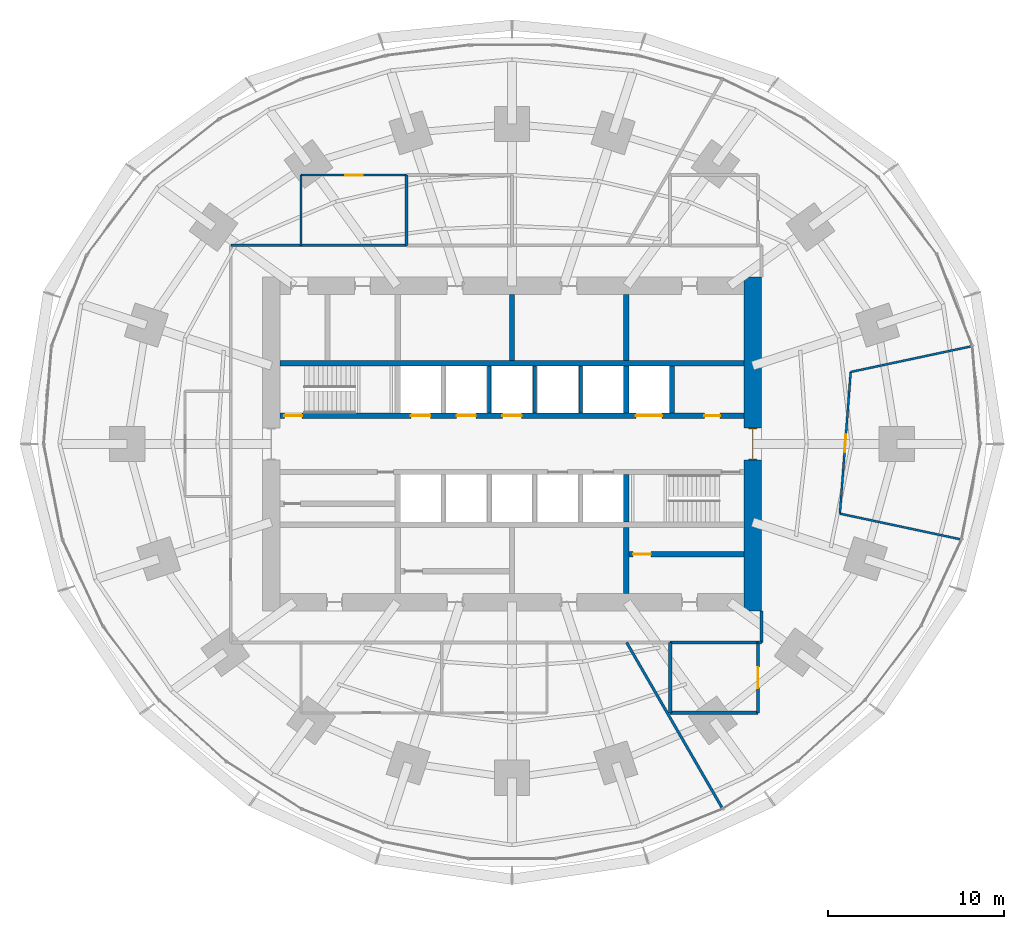
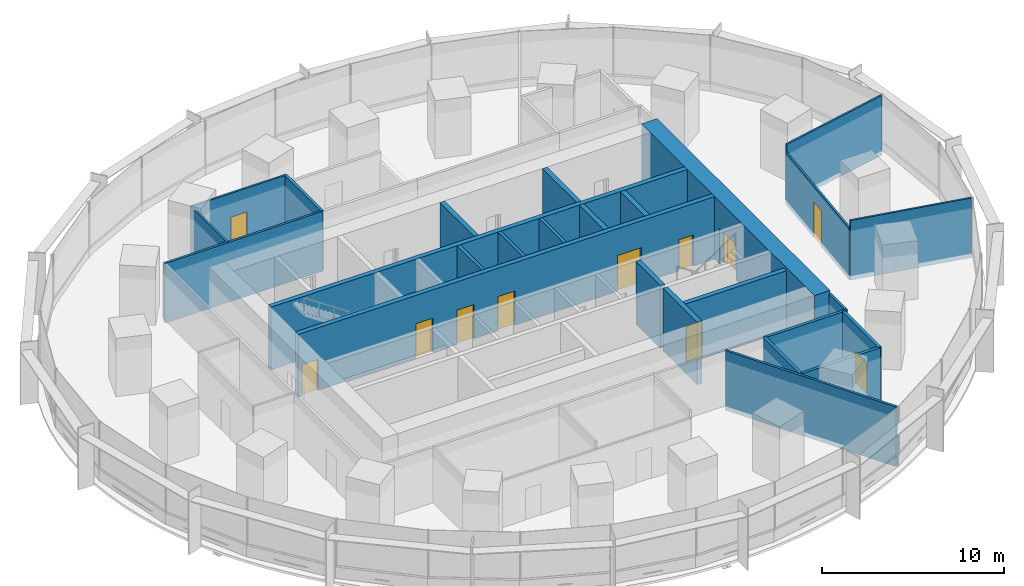
# One storey, part 12 of 15: 27 walls, 11 doors, 11 openings.
"""IFC4 building model written with IfcOpenShell, lengths in metres."""

from ifc_helpers import new_model, si_unit, direction, frame, frame_2d, origin, place, context, subcontext, project, spatial, rectangle, extrude, material, layer, layer_set, type_object, element, fill, save


model = new_model("IFC4")

# Units and contexts
model_context = context("Model", 3, precision=1e-05, world=origin(), true_north=direction((0.0, 1.0)))
body_context = subcontext(model_context, "Body", "Model", "MODEL_VIEW")
ifc_project = project(units=[si_unit("LENGTHUNIT", "METRE"), si_unit("AREAUNIT", "SQUARE_METRE"), si_unit("VOLUMEUNIT", "CUBIC_METRE"), si_unit("PLANEANGLEUNIT", "RADIAN"), si_unit("MASSUNIT", "GRAM", prefix="KILO")], contexts=[model_context])

# Site, building, storey
site_placement = place(None, origin())
site = spatial("IfcSite", under=ifc_project, at=site_placement, CompositionType="ELEMENT")
building_placement = place(site_placement, origin())
building = spatial("IfcBuilding", under=site, at=building_placement, Name="Marramba Exchange Tower", CompositionType="ELEMENT")
storey_placement = place(building_placement, frame((0.0, 0.0, 82.60009765625)))
storey = spatial("IfcBuildingStorey", under=building, at=storey_placement, Name="L19", CompositionType="ELEMENT", Elevation=82.60009765625)

# Walls
ifc_material_1 = material(Name="Plasterboard on staggered double steel studs, acoustic insulation", Category="steel")
ifc_layer_1 = layer(ifc_material_1, 0.169921875)
ifc_layer_set_1 = layer_set([ifc_layer_1], Name="Acoustic partition 170")
wall_type_1 = type_object("IfcWallType", Name="Acoustic partition 170", PredefinedType="PARTITIONING", material=ifc_layer_set_1)
wall_1_placement = place(storey_placement, frame((-6.0, 15.300048828125, 0.0), z_axis=(0.0, 0.0, 1.0), x_axis=(0.0, -1.0, 0.0)))
element("IfcWall", 1, at=wall_1_placement, inside=storey, type_object=wall_type_1, Name="Acoustic partition L19 28", PredefinedType="PARTITIONING", context=body_context, shape_type="SweptSolid", body=[
    extrude(rectangle(XDim=4.0, YDim=0.169921875, at=frame_2d((2.0, 0.0))), origin(), (0.0, 0.0, 1.0), 4.0),
])
ifc_material_2 = material(Name="Concrete N50", Category="concrete")
ifc_layer_2 = layer(ifc_material_2, 0.199951171875)
ifc_layer_set_2 = layer_set([ifc_layer_2], Name="Core shaft wall 200")
wall_type_2 = type_object("IfcWallType", Name="Core shaft wall 200", PredefinedType="SHEAR", material=ifc_layer_set_2)
for number, where, z_axis, x_axis, name in (
    (2, (-1.300048828125, 1.75, 0.0), (0.0, 0.0, 1.0), (0.0, 1.0, 0.0), "Core wall SHN2 L19"),
    (3, (1.300048828125, 1.75, 0.0), (0.0, 0.0, 1.0), (0.0, 1.0, 0.0), "Core wall SHN3 L19"),
    (4, (3.89990234375, 1.75, 0.0), (0.0, 0.0, 1.0), (0.0, 1.0, 0.0), "Core wall SHN4 L19"),
):
    element("IfcWall", number, at=place(storey_placement, frame(where, z_axis=z_axis, x_axis=x_axis)), inside=storey, type_object=wall_type_2, Name=name, PredefinedType="SHEAR", context=body_context, shape_type="SweptSolid", body=[
        extrude(rectangle(XDim=2.699951171875, YDim=0.199951171875, at=frame_2d((1.35009765625, 0.0))), origin(), (0.0, 0.0, 1.0), 4.199951171875),
    ])

# Wall, opening, door
ifc_layer_3 = layer(ifc_material_2, 1.0)
ifc_layer_set_3 = layer_set([ifc_layer_3], Name="Core wall 1000")
wall_type_3 = type_object("IfcWallType", Name="Core wall 1000", PredefinedType="SHEAR", material=ifc_layer_set_3)
wall_2_placement = place(storey_placement, frame((13.699951171875, -9.5, 0.0), z_axis=(0.0, 0.0, 1.0), x_axis=(0.0, 1.0, 0.0)))
wall_2 = element("IfcWall", 5, at=wall_2_placement, inside=storey, type_object=wall_type_3, Name="Core wall E L19", PredefinedType="SHEAR", context=body_context, shape_type="SweptSolid", body=[
    extrude(rectangle(XDim=19.0, YDim=1.0, at=frame_2d((9.5, 0.0))), origin(), (0.0, 0.0, 1.0), 4.199951171875),
])
opening_1_placement = place(wall_2_placement, frame((8.60009765625, 0.0, 0.0)))
opening_1 = element("IfcOpeningElement", 6, at=opening_1_placement, cuts=wall_2, Name="Opening D1", PredefinedType="OPENING", context=body_context, shape_type="SweptSolid", body=[
    extrude(rectangle(XDim=1.800048828125, YDim=2.39990234375, at=frame_2d((0.89990234375, 1.199951171875))), frame((0.0, 0.510009765625, 0.0), z_axis=(0.0, -1.0, 0.0), x_axis=(1.0, 0.0, 0.0)), (0.0, 0.0, 1.0), 1.02001953125),
])
ifc_material_3 = material(Name="Steel-framed door", Category="steel")
door_type_1 = type_object("IfcDoorType", Name="Lobby exit door 1800x2400", OperationType="DOUBLE_DOOR_SINGLE_SWING", PredefinedType="DOOR", material=ifc_material_3)
door_1_placement = place(opening_1_placement, origin())
door_1 = element("IfcDoor", 7, at=door_1_placement, inside=storey, type_object=door_type_1, Name="D1 lobby exit east L19", OperationType="DOUBLE_DOOR_SINGLE_SWING", OverallHeight=2.39990234375, OverallWidth=1.800048828125, PredefinedType="DOOR", context=body_context, shape_type="SweptSolid", body=[
    extrude(rectangle(XDim=1.719970703125, YDim=2.35986328125, at=frame_2d((0.89990234375, 1.179931640625))), frame((0.0, 0.02490234375, 0.0), z_axis=(0.0, -1.0, 0.0), x_axis=(1.0, 0.0, 0.0)), (0.0, 0.0, 1.0), 0.050048828125),
    extrude(rectangle(XDim=0.04, YDim=2.39990234375, at=frame_2d((0.02001953125, 1.199951171875))), frame((0.0, 0.25, 0.0), z_axis=(0.0, -1.0, 0.0), x_axis=(1.0, 0.0, 0.0)), (0.0, 0.0, 1.0), 0.5),
    extrude(rectangle(XDim=0.04, YDim=2.39990234375, at=frame_2d((1.780029296875, 1.199951171875))), frame((0.0, 0.25, 0.0), z_axis=(0.0, -1.0, 0.0), x_axis=(1.0, 0.0, 0.0)), (0.0, 0.0, 1.0), 0.5),
    extrude(rectangle(XDim=1.719970703125, YDim=0.04, at=frame_2d((0.89990234375, 2.3798828125))), frame((0.0, 0.25, 0.0), z_axis=(0.0, -1.0, 0.0), x_axis=(1.0, 0.0, 0.0)), (0.0, 0.0, 1.0), 0.5),
])
fill(opening_1, door_1)

# Wall, openings, doors
ifc_layer_4 = layer(ifc_material_2, 0.300048828125)
ifc_layer_set_4 = layer_set([ifc_layer_4], Name="Core wall 300")
wall_type_4 = type_object("IfcWallType", Name="Core wall 300", PredefinedType="SHEAR", material=ifc_layer_set_4)
wall_3_placement = place(storey_placement, frame((-13.199951171875, 1.60009765625, 0.0), z_axis=(0.0, 0.0, 1.0), x_axis=(1.0, 0.0, 0.0)))
wall_3 = element("IfcWall", 8, at=wall_3_placement, inside=storey, type_object=wall_type_4, Name="Core wall LN L19", PredefinedType="SHEAR", context=body_context, shape_type="SweptSolid", body=[
    extrude(rectangle(XDim=26.39990234375, YDim=0.300048828125, at=frame_2d((13.199951171875, 0.0))), origin(), (0.0, 0.0, 1.0), 4.199951171875),
])
opening_2_placement = place(wall_3_placement, frame((0.25, 0.0, 0.0)))
opening_2 = element("IfcOpeningElement", 9, at=opening_2_placement, cuts=wall_3, Name="Opening D2", PredefinedType="OPENING", context=body_context, shape_type="SweptSolid", body=[
    extrude(rectangle(XDim=1.0, YDim=2.10009765625, at=frame_2d((0.5, 1.050048828125))), frame((0.0, 0.159912109375, 0.0), z_axis=(0.0, -1.0, 0.0), x_axis=(1.0, 0.0, 0.0)), (0.0, 0.0, 1.0), 0.320068359375),
])
opening_3_placement = place(wall_3_placement, frame((20.25, 0.0, 0.0)))
opening_3 = element("IfcOpeningElement", 10, at=opening_3_placement, cuts=wall_3, Name="Opening LD3", PredefinedType="OPENING", context=body_context, shape_type="SweptSolid", body=[
    extrude(rectangle(XDim=1.5, YDim=2.39990234375, at=frame_2d((0.75, 1.199951171875))), frame((0.0, 0.159912109375, 0.0), z_axis=(0.0, -1.0, 0.0), x_axis=(1.0, 0.0, 0.0)), (0.0, 0.0, 1.0), 0.320068359375),
])
opening_4_placement = place(wall_3_placement, frame((7.449951171875, 0.0, 0.0)))
opening_4 = element("IfcOpeningElement", 11, at=opening_4_placement, cuts=wall_3, Name="Opening LD1", PredefinedType="OPENING", context=body_context, shape_type="SweptSolid", body=[
    extrude(rectangle(XDim=1.10009765625, YDim=2.300048828125, at=frame_2d((0.550048828125, 1.14990234375))), frame((0.0, 0.159912109375, 0.0), z_axis=(0.0, -1.0, 0.0), x_axis=(1.0, 0.0, 0.0)), (0.0, 0.0, 1.0), 0.320068359375),
])
opening_5_placement = place(wall_3_placement, frame((10.050048828125, 0.0, 0.0)))
opening_5 = element("IfcOpeningElement", 12, at=opening_5_placement, cuts=wall_3, Name="Opening LD1", PredefinedType="OPENING", context=body_context, shape_type="SweptSolid", body=[
    extrude(rectangle(XDim=1.10009765625, YDim=2.300048828125, at=frame_2d((0.550048828125, 1.14990234375))), frame((0.0, 0.159912109375, 0.0), z_axis=(0.0, -1.0, 0.0), x_axis=(1.0, 0.0, 0.0)), (0.0, 0.0, 1.0), 0.320068359375),
])
opening_6_placement = place(wall_3_placement, frame((12.64990234375, 0.0, 0.0)))
opening_6 = element("IfcOpeningElement", 13, at=opening_6_placement, cuts=wall_3, Name="Opening LD1", PredefinedType="OPENING", context=body_context, shape_type="SweptSolid", body=[
    extrude(rectangle(XDim=1.10009765625, YDim=2.300048828125, at=frame_2d((0.550048828125, 1.14990234375))), frame((0.0, 0.159912109375, 0.0), z_axis=(0.0, -1.0, 0.0), x_axis=(1.0, 0.0, 0.0)), (0.0, 0.0, 1.0), 0.320068359375),
])
opening_7_placement = place(wall_3_placement, frame((24.14990234375, 0.0, 0.0)))
opening_7 = element("IfcOpeningElement", 14, at=opening_7_placement, cuts=wall_3, Name="Opening D5", PredefinedType="OPENING", context=body_context, shape_type="SweptSolid", body=[
    extrude(rectangle(XDim=0.89990234375, YDim=2.10009765625, at=frame_2d((0.449951171875, 1.050048828125))), frame((0.0, 0.159912109375, 0.0), z_axis=(0.0, -1.0, 0.0), x_axis=(1.0, 0.0, 0.0)), (0.0, 0.0, 1.0), 0.320068359375),
])
door_type_2 = type_object("IfcDoorType", Name="Goods lift landing door 1500x2400", OperationType="SLIDING_TO_LEFT", PredefinedType="DOOR", material=ifc_material_3)
door_2_placement = place(opening_3_placement, origin())
door_2 = element("IfcDoor", 15, at=door_2_placement, inside=storey, type_object=door_type_2, Name="GL1 landing door L19", OperationType="SLIDING_TO_LEFT", OverallHeight=2.39990234375, OverallWidth=1.5, PredefinedType="DOOR", context=body_context, shape_type="SweptSolid", body=[
    extrude(rectangle(XDim=1.5, YDim=2.39990234375, at=frame_2d((0.75, 1.199951171875))), frame((0.0, 0.02490234375, 0.0), z_axis=(0.0, -1.0, 0.0), x_axis=(1.0, 0.0, 0.0)), (0.0, 0.0, 1.0), 0.050048828125),
])
fill(opening_3, door_2)
door_type_3 = type_object("IfcDoorType", Name="Lift landing door 1100x2300", OperationType="SLIDING_TO_LEFT", PredefinedType="DOOR", material=ifc_material_3)
door_3_placement = place(opening_4_placement, origin())
door_3 = element("IfcDoor", 16, at=door_3_placement, inside=storey, type_object=door_type_3, Name="LA1 landing door L19", OperationType="SLIDING_TO_LEFT", OverallHeight=2.300048828125, OverallWidth=1.10009765625, PredefinedType="DOOR", context=body_context, shape_type="SweptSolid", body=[
    extrude(rectangle(XDim=1.10009765625, YDim=2.300048828125, at=frame_2d((0.550048828125, 1.14990234375))), frame((0.0, 0.02490234375, 0.0), z_axis=(0.0, -1.0, 0.0), x_axis=(1.0, 0.0, 0.0)), (0.0, 0.0, 1.0), 0.050048828125),
])
fill(opening_4, door_3)
door_4_placement = place(opening_5_placement, origin())
door_4 = element("IfcDoor", 17, at=door_4_placement, inside=storey, type_object=door_type_3, Name="LA2 landing door L19", OperationType="SLIDING_TO_LEFT", OverallHeight=2.300048828125, OverallWidth=1.10009765625, PredefinedType="DOOR", context=body_context, shape_type="SweptSolid", body=[
    extrude(rectangle(XDim=1.10009765625, YDim=2.300048828125, at=frame_2d((0.550048828125, 1.14990234375))), frame((0.0, 0.02490234375, 0.0), z_axis=(0.0, -1.0, 0.0), x_axis=(1.0, 0.0, 0.0)), (0.0, 0.0, 1.0), 0.050048828125),
])
fill(opening_5, door_4)
door_5_placement = place(opening_6_placement, origin())
door_5 = element("IfcDoor", 18, at=door_5_placement, inside=storey, type_object=door_type_3, Name="LA3 landing door L19", OperationType="SLIDING_TO_RIGHT", OverallHeight=2.300048828125, OverallWidth=1.10009765625, PredefinedType="DOOR", context=body_context, shape_type="SweptSolid", body=[
    extrude(rectangle(XDim=1.10009765625, YDim=2.300048828125, at=frame_2d((0.550048828125, 1.14990234375))), frame((0.0, 0.02490234375, 0.0), z_axis=(0.0, -1.0, 0.0), x_axis=(1.0, 0.0, 0.0)), (0.0, 0.0, 1.0), 0.050048828125),
])
fill(opening_6, door_5)
door_type_4 = type_object("IfcDoorType", Name="Service door 900x2100", OperationType="SINGLE_SWING_LEFT", PredefinedType="DOOR", material=ifc_material_3)
door_6_placement = place(opening_7_placement, origin())
door_6 = element("IfcDoor", 19, at=door_6_placement, inside=storey, type_object=door_type_4, Name="D5 riser L19", OperationType="SINGLE_SWING_RIGHT", OverallHeight=2.10009765625, OverallWidth=0.89990234375, PredefinedType="DOOR", context=body_context, shape_type="SweptSolid", body=[
    extrude(rectangle(XDim=0.89990234375, YDim=2.10009765625, at=frame_2d((0.449951171875, 1.050048828125))), frame((0.0, 0.02490234375, 0.0), z_axis=(0.0, -1.0, 0.0), x_axis=(1.0, 0.0, 0.0)), (0.0, 0.0, 1.0), 0.050048828125),
])
fill(opening_7, door_6)
door_type_5 = type_object("IfcDoorType", Name="Stair door 1000x2100", OperationType="SINGLE_SWING_LEFT", PredefinedType="DOOR", material=ifc_material_3)
door_7_placement = place(opening_2_placement, origin())
door_7 = element("IfcDoor", 20, at=door_7_placement, inside=storey, type_object=door_type_5, Name="D2 stair ST1 L19", OperationType="SINGLE_SWING_LEFT", OverallHeight=2.10009765625, OverallWidth=1.0, PredefinedType="DOOR", context=body_context, shape_type="SweptSolid", body=[
    extrude(rectangle(XDim=1.0, YDim=2.10009765625, at=frame_2d((0.5, 1.050048828125))), frame((0.0, 0.02490234375, 0.0), z_axis=(0.0, -1.0, 0.0), x_axis=(1.0, 0.0, 0.0)), (0.0, 0.0, 1.0), 0.050048828125),
])
fill(opening_2, door_7)

# Walls
wall_4_placement = place(storey_placement, frame((-13.199951171875, 4.60009765625, 0.0), z_axis=(0.0, 0.0, 1.0), x_axis=(1.0, 0.0, 0.0)))
element("IfcWall", 21, at=wall_4_placement, inside=storey, type_object=wall_type_4, Name="Core wall BN L19", PredefinedType="SHEAR", context=body_context, shape_type="SweptSolid", body=[
    extrude(rectangle(XDim=26.39990234375, YDim=0.300048828125, at=frame_2d((13.199951171875, 0.0))), origin(), (0.0, 0.0, 1.0), 4.199951171875),
])
wall_5_placement = place(storey_placement, frame((6.5, 1.75, 0.0), z_axis=(0.0, 0.0, 1.0), x_axis=(0.0, 1.0, 0.0)))
element("IfcWall", 22, at=wall_5_placement, inside=storey, type_object=wall_type_4, Name="Core wall X1Na L19", PredefinedType="SHEAR", context=body_context, shape_type="SweptSolid", body=[
    extrude(rectangle(XDim=2.699951171875, YDim=0.300048828125, at=frame_2d((1.35009765625, 0.0))), origin(), (0.0, 0.0, 1.0), 4.199951171875),
])
for number, where, z_axis, x_axis, name in (
    (23, (6.5, 4.75, 0.0), (0.0, 0.0, 1.0), (0.0, 1.0, 0.0), "Core wall X1Nb L19"),
    (24, (0.0, 4.75, 0.0), (0.0, 0.0, 1.0), (0.0, 1.0, 0.0), "Core wall MN L19"),
):
    element("IfcWall", number, at=place(storey_placement, frame(where, z_axis=z_axis, x_axis=x_axis)), inside=storey, type_object=wall_type_4, Name=name, PredefinedType="SHEAR", context=body_context, shape_type="SweptSolid", body=[
        extrude(rectangle(XDim=3.75, YDim=0.300048828125, at=frame_2d((1.875, 0.0))), origin(), (0.0, 0.0, 1.0), 4.199951171875),
    ])
wall_6_placement = place(storey_placement, frame((6.5, -1.75, 0.0), z_axis=(0.0, 0.0, 1.0), x_axis=(0.0, -1.0, 0.0)))
element("IfcWall", 25, at=wall_6_placement, inside=storey, type_object=wall_type_4, Name="Core wall X1Sa L19", PredefinedType="SHEAR", context=body_context, shape_type="SweptSolid", body=[
    extrude(rectangle(XDim=2.699951171875, YDim=0.300048828125, at=frame_2d((1.35009765625, 0.0))), origin(), (0.0, 0.0, 1.0), 4.199951171875),
])
wall_7_placement = place(storey_placement, frame((6.5, -4.75, 0.0), z_axis=(0.0, 0.0, 1.0), x_axis=(0.0, -1.0, 0.0)))
element("IfcWall", 26, at=wall_7_placement, inside=storey, type_object=wall_type_4, Name="Core wall X1Sb L19", PredefinedType="SHEAR", context=body_context, shape_type="SweptSolid", body=[
    extrude(rectangle(XDim=3.75, YDim=0.300048828125, at=frame_2d((1.875, 0.0))), origin(), (0.0, 0.0, 1.0), 4.199951171875),
])
wall_8_placement = place(storey_placement, frame((9.10009765625, 1.75, 0.0), z_axis=(0.0, 0.0, 1.0), x_axis=(0.0, 1.0, 0.0)))
element("IfcWall", 27, at=wall_8_placement, inside=storey, type_object=wall_type_4, Name="Core wall ED L19", PredefinedType="SHEAR", context=body_context, shape_type="SweptSolid", body=[
    extrude(rectangle(XDim=2.699951171875, YDim=0.300048828125, at=frame_2d((1.35009765625, 0.0))), origin(), (0.0, 0.0, 1.0), 4.199951171875),
])
ifc_material_4 = material(Name="Core-filled concrete blockwork, rendered", Category="masonry")
ifc_layer_5 = layer(ifc_material_4, 0.18994140625)
ifc_layer_set_5 = layer_set([ifc_layer_5], Name="Equipment room wall 190")
wall_type_5 = type_object("IfcWallType", Name="Equipment room wall 190", PredefinedType="SOLIDWALL", material=ifc_layer_set_5)
wall_9_placement = place(storey_placement, frame((9.0, -11.300048828125, 0.0), z_axis=(0.0, 0.0, 1.0), x_axis=(0.0, -1.0, 0.0)))
element("IfcWall", 28, at=wall_9_placement, inside=storey, type_object=wall_type_5, Name="Equipment room wall L19 08", PredefinedType="SOLIDWALL", context=body_context, shape_type="SweptSolid", body=[
    extrude(rectangle(XDim=4.0, YDim=0.18994140625, at=frame_2d((2.0, 0.0))), origin(), (0.0, 0.0, 1.0), 4.0),
])
for number, where, z_axis, x_axis, name in (
    (29, (9.0, -15.300048828125, 0.0), (0.0, 0.0, 1.0), (1.0, 0.0, 0.0), "Equipment room wall L19 09"),
    (30, (14.0, -11.300048828125, 0.0), (0.0, 0.0, 1.0), (-1.0, 0.0, 0.0), "Equipment room wall L19 10"),
):
    element("IfcWall", number, at=place(storey_placement, frame(where, z_axis=z_axis, x_axis=x_axis)), inside=storey, type_object=wall_type_5, Name=name, PredefinedType="SOLIDWALL", context=body_context, shape_type="SweptSolid", body=[
        extrude(rectangle(XDim=5.0, YDim=0.18994140625, at=frame_2d((2.5, 0.0))), origin(), (0.0, 0.0, 1.0), 4.0),
    ])

# Wall, opening, door
wall_10_placement = place(storey_placement, frame((14.0, -15.300048828125, 0.0), z_axis=(0.0, 0.0, 1.0), x_axis=(0.0, 1.0, 0.0)))
wall_10 = element("IfcWall", 31, at=wall_10_placement, inside=storey, type_object=wall_type_5, Name="Equipment room wall L19 11", PredefinedType="SOLIDWALL", context=body_context, shape_type="SweptSolid", body=[
    extrude(rectangle(XDim=4.0, YDim=0.18994140625, at=frame_2d((2.0, 0.0))), origin(), (0.0, 0.0, 1.0), 4.0),
])
opening_8_placement = place(wall_10_placement, frame((1.39990234375, 0.0, 0.0)))
opening_8 = element("IfcOpeningElement", 32, at=opening_8_placement, cuts=wall_10, Name="Opening D16", PredefinedType="OPENING", context=body_context, shape_type="SweptSolid", body=[
    extrude(rectangle(XDim=1.199951171875, YDim=2.10009765625, at=frame_2d((0.60009765625, 1.050048828125))), frame((0.0, 0.10498046875, 0.0), z_axis=(0.0, -1.0, 0.0), x_axis=(1.0, 0.0, 0.0)), (0.0, 0.0, 1.0), 0.2099609375),
])
door_type_6 = type_object("IfcDoorType", Name="Equipment room door 1200x2100", OperationType="SINGLE_SWING_LEFT", PredefinedType="DOOR", material=ifc_material_3)
door_8_placement = place(opening_8_placement, origin())
door_8 = element("IfcDoor", 33, at=door_8_placement, inside=storey, type_object=door_type_6, Name="D16 Data Room L19", OperationType="SINGLE_SWING_RIGHT", OverallHeight=2.10009765625, OverallWidth=1.199951171875, PredefinedType="DOOR", context=body_context, shape_type="SweptSolid", body=[
    extrude(rectangle(XDim=1.199951171875, YDim=2.10009765625, at=frame_2d((0.60009765625, 1.050048828125))), frame((0.0, 0.02490234375, 0.0), z_axis=(0.0, -1.0, 0.0), x_axis=(1.0, 0.0, 0.0)), (0.0, 0.0, 1.0), 0.050048828125),
])
fill(opening_8, door_8)

# Wall
ifc_material_5 = material(Name="Plasterboard on steel studs", Category="steel")
ifc_layer_6 = layer(ifc_material_5, 0.1201171875)
ifc_layer_set_6 = layer_set([ifc_layer_6], Name="Partition 120")
wall_type_6 = type_object("IfcWallType", Name="Partition 120", PredefinedType="PARTITIONING", material=ifc_layer_set_6)
wall_11_placement = place(storey_placement, frame((18.659423828125, -3.96630859375, 0.0), z_axis=(0.0, 0.0, 1.0), x_axis=(0.978148655968, -0.207906726269, 0.0)))
element("IfcWall", 34, at=wall_11_placement, inside=storey, type_object=wall_type_6, Name="Partition L19 14", PredefinedType="PARTITIONING", context=body_context, shape_type="SweptSolid", body=[
    extrude(rectangle(XDim=7.0, YDim=0.1201171875, at=frame_2d((3.5, 0.0))), origin(), (0.0, 0.0, 1.0), 4.0),
])

# Wall, opening, door
wall_12_placement = place(storey_placement, frame((19.276123046875, 4.097412109375, 0.0), z_axis=(0.0, 0.0, 1.0), x_axis=(-0.076255565094, -0.997088305413, 0.0)))
wall_12 = element("IfcWall", 35, at=wall_12_placement, inside=storey, type_object=wall_type_6, Name="Partition L19 15", PredefinedType="PARTITIONING", context=body_context, shape_type="SweptSolid", body=[
    extrude(rectangle(XDim=8.087158203125, YDim=0.1201171875, at=frame_2d((4.04345703125, 0.0))), origin(), (0.0, 0.0, 1.0), 3.466796875),
])
opening_9_placement = place(wall_12_placement, frame((3.569091796875, 0.0, 0.0)))
opening_9 = element("IfcOpeningElement", 36, at=opening_9_placement, cuts=wall_12, Name="Opening D9", PredefinedType="OPENING", context=body_context, shape_type="SweptSolid", body=[
    extrude(rectangle(XDim=1.0, YDim=2.39990234375, at=frame_2d((0.5, 1.199951171875))), frame((0.0, 0.070068359375, 0.0), z_axis=(0.0, -1.0, 0.0), x_axis=(1.0, 0.0, 0.0)), (0.0, 0.0, 1.0), 0.14013671875),
])
ifc_material_6 = material(Name="Timber door", Category="wood")
door_type_7 = type_object("IfcDoorType", Name="Room door 1000x2400", OperationType="SINGLE_SWING_LEFT", PredefinedType="DOOR", material=ifc_material_6)
door_9_placement = place(opening_9_placement, origin())
door_9 = element("IfcDoor", 37, at=door_9_placement, inside=storey, type_object=door_type_7, Name="D9 Market Control Room L19", OperationType="SINGLE_SWING_RIGHT", OverallHeight=2.39990234375, OverallWidth=1.0, PredefinedType="DOOR", context=body_context, shape_type="SweptSolid", body=[
    extrude(rectangle(XDim=1.0, YDim=2.39990234375, at=frame_2d((0.5, 1.199951171875))), frame((0.0, 0.02490234375, 0.0), z_axis=(0.0, -1.0, 0.0), x_axis=(1.0, 0.0, 0.0)), (0.0, 0.0, 1.0), 0.050048828125),
])
fill(opening_9, door_9)

# Wall
wall_13_placement = place(storey_placement, frame((26.123291015625, 5.552734375, 0.0), z_axis=(0.0, 0.0, 1.0), x_axis=(-0.978150163492, -0.207899633622, 0.0)))
element("IfcWall", 38, at=wall_13_placement, inside=storey, type_object=wall_type_6, Name="Partition L19 16", PredefinedType="PARTITIONING", context=body_context, shape_type="SweptSolid", body=[
    extrude(rectangle(XDim=7.0, YDim=0.1201171875, at=frame_2d((3.5, 0.0))), origin(), (0.0, 0.0, 1.0), 4.0),
])

# Wall, opening, door
wall_14_placement = place(storey_placement, frame((-6.0, 15.300048828125, 0.0), z_axis=(0.0, 0.0, 1.0), x_axis=(-1.0, 0.0, 0.0)))
wall_14 = element("IfcWall", 39, at=wall_14_placement, inside=storey, type_object=wall_type_6, Name="Partition L19 29", PredefinedType="PARTITIONING", context=body_context, shape_type="SweptSolid", body=[
    extrude(rectangle(XDim=6.0, YDim=0.1201171875, at=frame_2d((3.0, 0.0))), origin(), (0.0, 0.0, 1.0), 4.0),
])
opening_10_placement = place(wall_14_placement, frame((2.5, 0.0, 0.0)))
opening_10 = element("IfcOpeningElement", 40, at=opening_10_placement, cuts=wall_14, Name="Opening D9", PredefinedType="OPENING", context=body_context, shape_type="SweptSolid", body=[
    extrude(rectangle(XDim=1.0, YDim=2.39990234375, at=frame_2d((0.5, 1.199951171875))), frame((0.0, 0.070068359375, 0.0), z_axis=(0.0, -1.0, 0.0), x_axis=(1.0, 0.0, 0.0)), (0.0, 0.0, 1.0), 0.14013671875),
])
door_10_placement = place(opening_10_placement, origin())
door_10 = element("IfcDoor", 41, at=door_10_placement, inside=storey, type_object=door_type_7, Name="D9 Settlements Office L19", OperationType="SINGLE_SWING_RIGHT", OverallHeight=2.39990234375, OverallWidth=1.0, PredefinedType="DOOR", context=body_context, shape_type="SweptSolid", body=[
    extrude(rectangle(XDim=1.0, YDim=2.39990234375, at=frame_2d((0.5, 1.199951171875))), frame((0.0, 0.02490234375, 0.0), z_axis=(0.0, -1.0, 0.0), x_axis=(1.0, 0.0, 0.0)), (0.0, 0.0, 1.0), 0.050048828125),
])
fill(opening_10, door_10)

# Wall
wall_15_placement = place(storey_placement, frame((-12.0, 15.300048828125, 0.0), z_axis=(0.0, 0.0, 1.0), x_axis=(0.0, -1.0, 0.0)))
element("IfcWall", 42, at=wall_15_placement, inside=storey, type_object=wall_type_6, Name="Partition L19 30", PredefinedType="PARTITIONING", context=body_context, shape_type="SweptSolid", body=[
    extrude(rectangle(XDim=4.0, YDim=0.1201171875, at=frame_2d((2.0, 0.0))), origin(), (0.0, 0.0, 1.0), 4.0),
])

# Wall, opening, door
ifc_material_7 = material(Name="Plasterboard on steel studs, insulated, unrated", Category="steel")
ifc_layer_7 = layer(ifc_material_7, 0.300048828125)
ifc_layer_set_7 = layer_set([ifc_layer_7], Name="Store partition 300")
wall_type_7 = type_object("IfcWallType", Name="Store partition 300", PredefinedType="PARTITIONING", material=ifc_layer_set_7)
wall_16_placement = place(storey_placement, frame((6.64990234375, -6.27197265625, 0.0), z_axis=(0.0, 0.0, 1.0), x_axis=(1.0, 0.0, 0.0)))
wall_16 = element("IfcWall", 43, at=wall_16_placement, inside=storey, type_object=wall_type_7, Name="Store partition L19 cstore", PredefinedType="PARTITIONING", context=body_context, shape_type="SweptSolid", body=[
    extrude(rectangle(XDim=6.550048828125, YDim=0.300048828125, at=frame_2d((3.27490234375, 0.0))), origin(), (0.0, 0.0, 1.0), 4.0),
])
opening_11_placement = place(wall_16_placement, frame((0.25, 0.0, 0.0)))
opening_11 = element("IfcOpeningElement", 44, at=opening_11_placement, cuts=wall_16, Name="Opening D9", PredefinedType="OPENING", context=body_context, shape_type="SweptSolid", body=[
    extrude(rectangle(XDim=1.0, YDim=2.39990234375, at=frame_2d((0.5, 1.199951171875))), frame((0.0, 0.159912109375, 0.0), z_axis=(0.0, -1.0, 0.0), x_axis=(1.0, 0.0, 0.0)), (0.0, 0.0, 1.0), 0.320068359375),
])
door_11_placement = place(opening_11_placement, origin())
door_11 = element("IfcDoor", 45, at=door_11_placement, inside=storey, type_object=door_type_7, Name="D9 general store L19", OperationType="SINGLE_SWING_LEFT", OverallHeight=2.39990234375, OverallWidth=1.0, PredefinedType="DOOR", context=body_context, shape_type="SweptSolid", body=[
    extrude(rectangle(XDim=1.0, YDim=2.39990234375, at=frame_2d((0.5, 1.199951171875))), frame((0.0, 0.02490234375, 0.0), z_axis=(0.0, -1.0, 0.0), x_axis=(1.0, 0.0, 0.0)), (0.0, 0.0, 1.0), 0.050048828125),
])
fill(opening_11, door_11)

# Walls
ifc_material_8 = material(Name="Fire-rated plasterboard on steel studs, acoustic insulation", Category="steel")
ifc_layer_8 = layer(ifc_material_8, 0.14990234375)
ifc_layer_set_8 = layer_set([ifc_layer_8], Name="Tenancy wall 150")
wall_type_8 = type_object("IfcWallType", Name="Tenancy wall 150", PredefinedType="PARTITIONING", material=ifc_layer_set_8)
wall_17_placement = place(storey_placement, frame((11.94921875, -20.69677734375, 0.0), z_axis=(0.0, 0.0, 1.0), x_axis=(-0.499989292232, 0.866031585829, 0.0)))
element("IfcWall", 46, at=wall_17_placement, inside=storey, type_object=wall_type_8, Name="Tenancy wall L19 07", PredefinedType="PARTITIONING", context=body_context, shape_type="SweptSolid", body=[
    extrude(rectangle(XDim=10.850341796875, YDim=0.14990234375, at=frame_2d((5.42529296875, 0.0))), origin(), (0.0, 0.0, 1.0), 4.0),
])
wall_18_placement = place(storey_placement, frame((14.0, -11.300048828125, 0.0), z_axis=(0.0, 0.0, 1.0), x_axis=(1.0, 0.0, 0.0)))
element("IfcWall", 47, at=wall_18_placement, inside=storey, type_object=wall_type_8, Name="Tenancy wall L19 12", PredefinedType="PARTITIONING", context=body_context, shape_type="SweptSolid", body=[
    extrude(rectangle(XDim=0.199951171875, YDim=0.14990234375, at=frame_2d((0.10009765625, 0.0))), origin(), (0.0, 0.0, 1.0), 4.0),
])
wall_19_placement = place(storey_placement, frame((14.199951171875, -11.300048828125, 0.0), z_axis=(0.0, 0.0, 1.0), x_axis=(0.0, 1.0, 0.0)))
element("IfcWall", 48, at=wall_19_placement, inside=storey, type_object=wall_type_8, Name="Tenancy wall L19 13", PredefinedType="PARTITIONING", context=body_context, shape_type="SweptSolid", body=[
    extrude(rectangle(XDim=1.800048828125, YDim=0.14990234375, at=frame_2d((0.89990234375, 0.0))), origin(), (0.0, 0.0, 1.0), 4.0),
])
wall_20_placement = place(storey_placement, frame((-6.0, 11.300048828125, 0.0), z_axis=(0.0, 0.0, 1.0), x_axis=(-1.0, 0.0, 0.0)))
element("IfcWall", 49, at=wall_20_placement, inside=storey, type_object=wall_type_8, Name="Tenancy wall L19 31", PredefinedType="PARTITIONING", context=body_context, shape_type="SweptSolid", body=[
    extrude(rectangle(XDim=10.0, YDim=0.14990234375, at=frame_2d((5.0, 0.0))), origin(), (0.0, 0.0, 1.0), 4.0),
])

save(model, "model.ifc")
